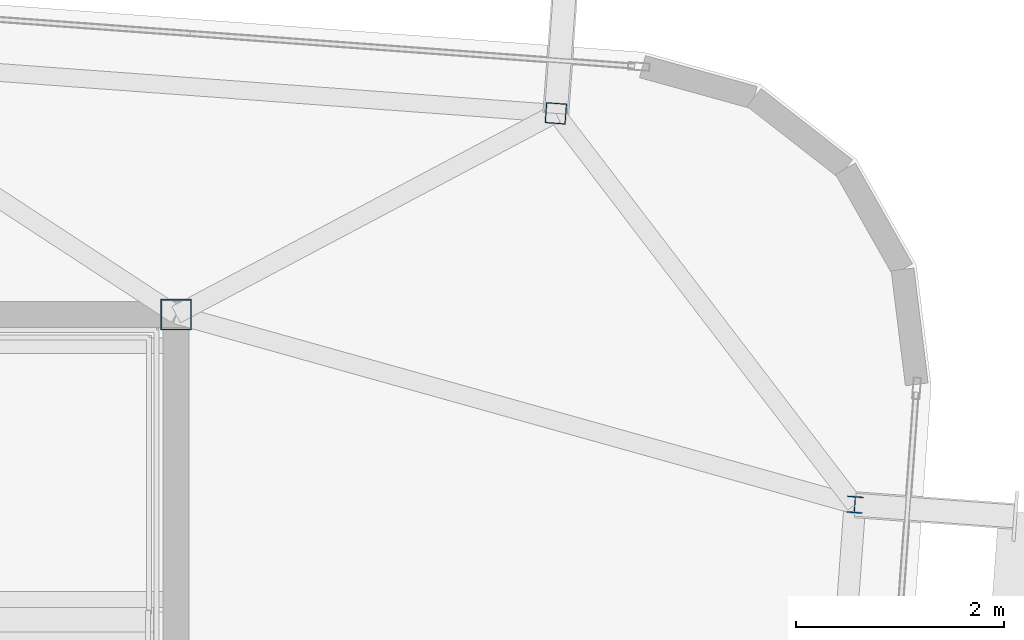
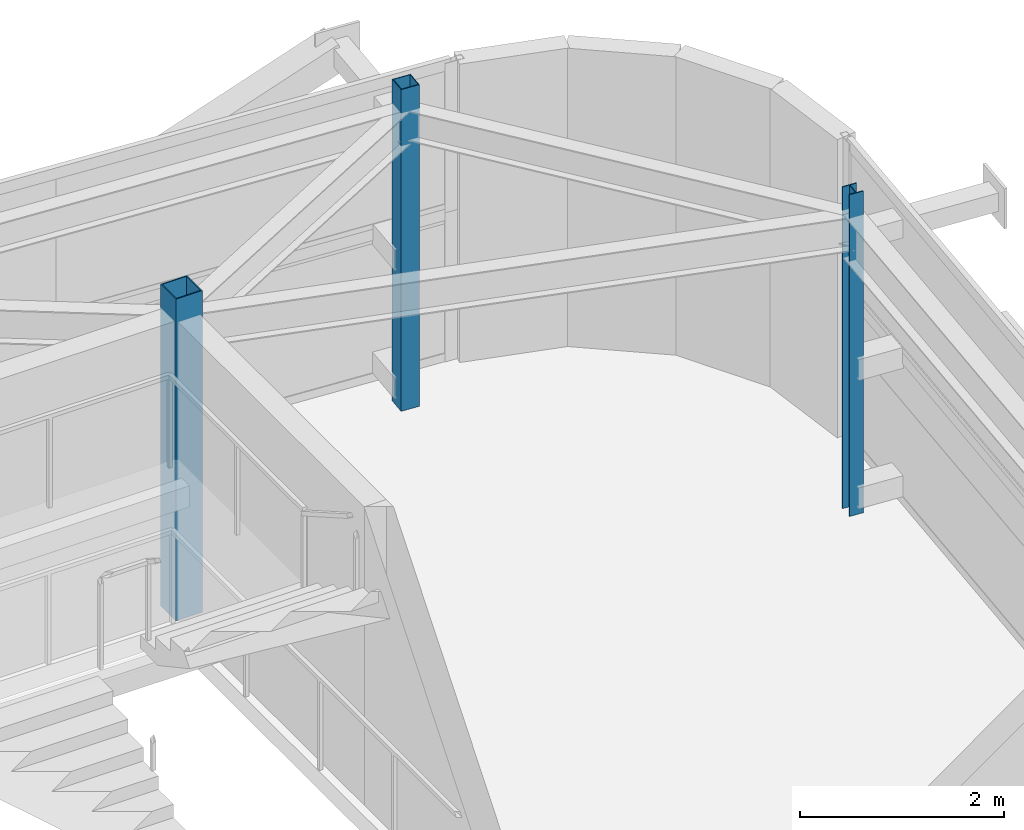
# One storey, part 6 of 35: 3 columns.
"""IFC4 building model written with IfcOpenShell, lengths in metres."""

from ifc_helpers import new_model, si_unit, direction, frame, origin, origin_2d, place, context, subcontext, project, spatial, hollow_rectangle, i_section, extrude, source, transform, mapped, material, material_profile, profile_set, type_object, element, save


model = new_model("IFC4")

# Units and contexts
model_context = context("Model", 3, precision=1e-05, world=origin(), true_north=direction((0.0, 1.0)))
body_context = subcontext(model_context, "Body", "Model", "MODEL_VIEW")
ifc_project = project(units=[si_unit("LENGTHUNIT", "METRE"), si_unit("AREAUNIT", "SQUARE_METRE"), si_unit("VOLUMEUNIT", "CUBIC_METRE"), si_unit("PLANEANGLEUNIT", "RADIAN"), si_unit("MASSUNIT", "GRAM", prefix="KILO")], contexts=[model_context])

# Site, building, storey
site_placement = place(None, origin())
site = spatial("IfcSite", under=ifc_project, at=site_placement, CompositionType="ELEMENT")
building_placement = place(site_placement, origin())
building = spatial("IfcBuilding", under=site, at=building_placement, Name="Taldren Reach Tower", CompositionType="ELEMENT")
storey_placement = place(building_placement, frame((0.0, 0.0, 249.199951171875)))
storey = spatial("IfcBuildingStorey", under=building, at=storey_placement, Name="L76", CompositionType="ELEMENT", Elevation=249.199951171875)

# Columns
ifc_material_1 = material(Name="Steel Gr 450 (C450L0)", Category="steel")
ifc_material_profile_1 = material_profile(ifc_material_1, hollow_rectangle(XDim=0.300048828125, YDim=0.300048828125, WallThickness=0.012451171875, at=origin_2d()), Name="300x300x12.5SHS")
ifc_profile_set_1 = profile_set([ifc_material_profile_1], Name="Steel Gr 450 (C450L0)")
column_type_1 = type_object("IfcColumnType", Name="COL-SHS300", PredefinedType="COLUMN", material=ifc_profile_set_1)
shared_shape_1 = source(origin(), body_context, "Body", "SweptSolid", [
    extrude(hollow_rectangle(XDim=0.300048828125, YDim=0.300048828125, WallThickness=0.012451171875, at=origin_2d()), origin(), (0.0, 0.0, 1.0), 3.85009765625),
])
column_1_placement = place(storey_placement, frame((51.0, 32.0, 0.0), z_axis=(0.0, 0.0, 1.0), x_axis=(1.0, 0.0, 0.0)))
element("IfcColumn", 1, at=column_1_placement, inside=storey, type_object=column_type_1, Name="Mega column MC-C8 L76", PredefinedType="COLUMN", context=body_context, shape_type="MappedRepresentation", body=[
    mapped(shared_shape_1, transform((0.0, 0.0, 0.0), scale=1.0)),
])
ifc_material_2 = material(Name="Steel Gr 350 (C350L0)", Category="steel")
ifc_material_profile_2 = material_profile(ifc_material_2, hollow_rectangle(XDim=0.199951171875, YDim=0.199951171875, WallThickness=0.009033203125, at=origin_2d()), Name="200x200x9.0SHS")
ifc_profile_set_2 = profile_set([ifc_material_profile_2], Name="Steel Gr 350 (C350L0)")
column_type_2 = type_object("IfcColumnType", Name="COL-SHS200", PredefinedType="COLUMN", material=ifc_profile_set_2)
shared_shape_2 = source(origin(), body_context, "Body", "SweptSolid", [
    extrude(hollow_rectangle(XDim=0.199951171875, YDim=0.199951171875, WallThickness=0.009033203125, at=origin_2d()), origin(), (0.0, 0.0, 1.0), 3.85009765625),
])
column_2_placement = place(storey_placement, frame((54.659423828125, 33.939697265625, 0.0), z_axis=(0.0, 0.0, 1.0), x_axis=(0.997314477224, -0.073238197128, 0.0)))
element("IfcColumn", 2, at=column_2_placement, inside=storey, type_object=column_type_2, Name="Block B5 perimeter column N6 L76", PredefinedType="COLUMN", context=body_context, shape_type="MappedRepresentation", body=[
    mapped(shared_shape_2, transform((0.0, 0.0, 0.0), scale=1.0)),
])
ifc_material_3 = material(Name="Steel Gr 350 (350PLUS)", Category="steel")
ifc_material_profile_3 = material_profile(ifc_material_3, i_section(OverallWidth=0.154052734375, OverallDepth=0.162109375, WebThickness=0.008056640625, FlangeThickness=0.011474609375, at=origin_2d()), Name="150UC37.2")
ifc_profile_set_3 = profile_set([ifc_material_profile_3], Name="Steel Gr 350 (350PLUS)")
column_type_3 = type_object("IfcColumnType", Name="COL-UC150", PredefinedType="COLUMN", material=ifc_profile_set_3)
shared_shape_3 = source(origin(), body_context, "Body", "SweptSolid", [
    extrude(i_section(OverallWidth=0.154052734375, OverallDepth=0.162109375, WebThickness=0.008056640625, FlangeThickness=0.011474609375, at=origin_2d()), origin(), (0.0, 0.0, 1.0), 3.85009765625),
])
column_3_placement = place(storey_placement, frame((57.540771484375, 30.168701171875, 0.0), z_axis=(0.0, 0.0, 1.0), x_axis=(0.997314477224, -0.073238197128, 0.0)))
element("IfcColumn", 3, at=column_3_placement, inside=storey, type_object=column_type_3, Name="Block B5 perimeter column E3 L76", PredefinedType="COLUMN", context=body_context, shape_type="MappedRepresentation", body=[
    mapped(shared_shape_3, transform((0.0, 0.0, 0.0), scale=1.0)),
])

save(model, "model.ifc")
